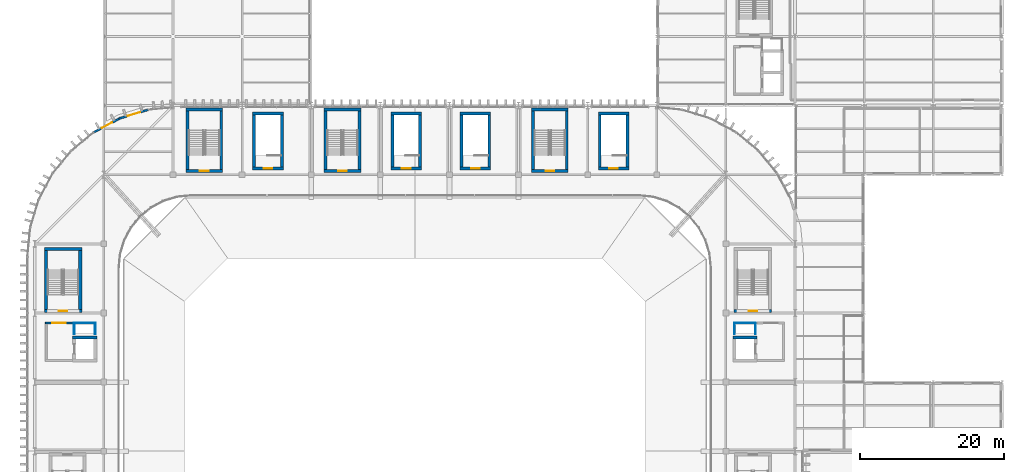
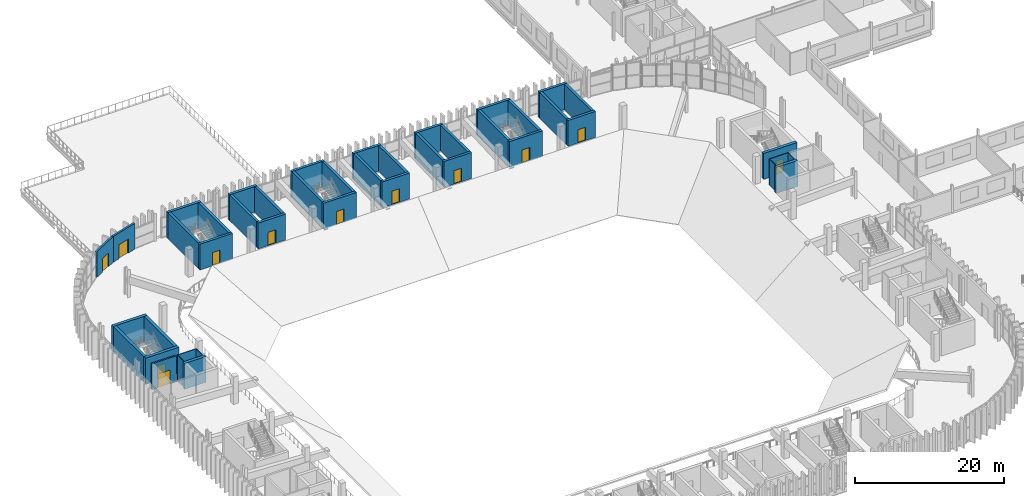
# One storey, part 44 of 69: 44 walls, 12 doors, 12 openings.
"""IFC4 building model written with IfcOpenShell, lengths in metres."""

from ifc_helpers import new_model, si_unit, direction, frame, frame_2d, origin, place, context, subcontext, project, spatial, rectangle, extrude, material, layer, layer_set, type_object, element, fill, save


model = new_model("IFC4")

# Units and contexts
model_context = context("Model", 3, precision=1e-05, world=origin(), true_north=direction((0.0, 1.0)))
body_context = subcontext(model_context, "Body", "Model", "MODEL_VIEW")
ifc_project = project(units=[si_unit("LENGTHUNIT", "METRE"), si_unit("AREAUNIT", "SQUARE_METRE"), si_unit("VOLUMEUNIT", "CUBIC_METRE"), si_unit("PLANEANGLEUNIT", "RADIAN"), si_unit("MASSUNIT", "GRAM", prefix="KILO")], contexts=[model_context])

# Site, building, storey
site_placement = place(None, origin())
site = spatial("IfcSite", under=ifc_project, at=site_placement, CompositionType="ELEMENT")
building_placement = place(site_placement, origin())
building = spatial("IfcBuilding", under=site, at=building_placement, Name="Caelomonte Colonnade Arena", CompositionType="ELEMENT")
storey_placement = place(building_placement, frame((0.0, 0.0, 18.60009765625)))
storey = spatial("IfcBuildingStorey", under=building, at=storey_placement, Name="L04", CompositionType="ELEMENT", Elevation=18.60009765625)

# Wall, opening, door
ifc_material_1 = material(Name="Precast concrete C40/50", Category="concrete")
ifc_layer_1 = layer(ifc_material_1, 0.2900390625)
ifc_layer_set_1 = layer_set([ifc_layer_1], Name="Precast concrete C40/50")
wall_type_1 = type_object("IfcWallType", Name="ENV-WL-EXT29", PredefinedType="SOLIDWALL", material=ifc_layer_set_1)
wall_1_placement = place(storey_placement, frame((73.47021484375, 114.6591796875, 0.0), z_axis=(0.0, 0.0, 1.0), x_axis=(-0.956928680947, -0.290323095156, 0.0)))
wall_1 = element("IfcWall", 1, at=wall_1_placement, inside=storey, type_object=wall_type_1, Name="L04 exterior wall EW-L04-0330", PredefinedType="SOLIDWALL", context=body_context, shape_type="SweptSolid", body=[
    extrude(rectangle(XDim=4.35693359375, YDim=0.2900390625, at=frame_2d((2.178466796875, 0.0))), origin(), (0.0, 0.0, 1.0), 4.239990234375),
])
opening_1_placement = place(wall_1_placement, frame((3.078369140625, 0.0, 0.0), z_axis=(0.0, 0.0, 1.0), x_axis=(-1.0, 0.0, 0.0)))
opening_1 = element("IfcOpeningElement", 2, at=opening_1_placement, cuts=wall_1, Name="Opening DT-L04-11", PredefinedType="OPENING", context=body_context, shape_type="SweptSolid", body=[
    extrude(rectangle(XDim=1.800048828125, YDim=2.300048828125, at=frame_2d((0.89990234375, 1.14990234375))), frame((0.0, 0.155029296875, 0.0), z_axis=(0.0, -1.0, 0.0), x_axis=(1.0, 0.0, 0.0)), (0.0, 0.0, 1.0), 0.31005859375),
])
ifc_material_2 = material(Name="Bronze anodised aluminium glazed terrace door", Category="aluminium")
door_type_1 = type_object("IfcDoorType", Name="ENV-DR-TR1", OperationType="DOUBLE_DOOR_SINGLE_SWING", PredefinedType="DOOR", material=ifc_material_2)
door_1_placement = place(opening_1_placement, origin())
door_1 = element("IfcDoor", 3, at=door_1_placement, inside=storey, type_object=door_type_1, Name="L04 North-West Hospitality Terrace door DT-L04-11", OperationType="DOUBLE_DOOR_SINGLE_SWING", OverallHeight=2.300048828125, OverallWidth=1.800048828125, PredefinedType="DOOR", context=body_context, shape_type="SweptSolid", body=[
    extrude(rectangle(XDim=1.800048828125, YDim=2.300048828125, at=frame_2d((0.89990234375, 1.14990234375))), frame((0.0, 0.02490234375, 0.0), z_axis=(0.0, -1.0, 0.0), x_axis=(1.0, 0.0, 0.0)), (0.0, 0.0, 1.0), 0.050048828125),
])
fill(opening_1, door_1)

wall_2_placement = place(storey_placement, frame((69.55419921875, 113.499267578125, 0.0), z_axis=(0.0, 0.0, 1.0), x_axis=(-0.881924438709, -0.471390797968, 0.0)))
wall_2 = element("IfcWall", 4, at=wall_2_placement, inside=storey, type_object=wall_type_1, Name="L04 exterior wall EW-L04-0331", PredefinedType="SOLIDWALL", context=body_context, shape_type="SweptSolid", body=[
    extrude(rectangle(XDim=4.356689453125, YDim=0.2900390625, at=frame_2d((2.17822265625, 0.0))), origin(), (0.0, 0.0, 1.0), 4.239990234375),
])
opening_2_placement = place(wall_2_placement, frame((2.978515625, 0.0, 0.0), z_axis=(0.0, 0.0, 1.0), x_axis=(-1.0, 0.0, 0.0)))
opening_2 = element("IfcOpeningElement", 5, at=opening_2_placement, cuts=wall_2, Name="Opening DT-L04-12", PredefinedType="OPENING", context=body_context, shape_type="SweptSolid", body=[
    extrude(rectangle(XDim=1.60009765625, YDim=2.25, at=frame_2d((0.800048828125, 1.125))), frame((0.0, 0.155029296875, 0.0), z_axis=(0.0, -1.0, 0.0), x_axis=(1.0, 0.0, 0.0)), (0.0, 0.0, 1.0), 0.31005859375),
])
door_type_2 = type_object("IfcDoorType", Name="ENV-DR-TR2", OperationType="DOUBLE_DOOR_SINGLE_SWING", PredefinedType="DOOR", material=ifc_material_2)
door_2_placement = place(opening_2_placement, origin())
door_2 = element("IfcDoor", 6, at=door_2_placement, inside=storey, type_object=door_type_2, Name="L04 North-West Hospitality Terrace door DT-L04-12", OperationType="DOUBLE_DOOR_SINGLE_SWING", OverallHeight=2.25, OverallWidth=1.60009765625, PredefinedType="DOOR", context=body_context, shape_type="SweptSolid", body=[
    extrude(rectangle(XDim=1.60009765625, YDim=2.25, at=frame_2d((0.800048828125, 1.125))), frame((0.0, 0.02490234375, 0.0), z_axis=(0.0, -1.0, 0.0), x_axis=(1.0, 0.0, 0.0)), (0.0, 0.0, 1.0), 0.050048828125),
])
fill(opening_2, door_2)

ifc_material_3 = material(Name="Concrete C40/50", Category="concrete")
ifc_layer_2 = layer(ifc_material_3, 0.260009765625)
ifc_layer_set_2 = layer_set([ifc_layer_2], Name="Concrete C40/50")
wall_type_2 = type_object("IfcWallType", Name="INT-WL-FW26", PredefinedType="SOLIDWALL", material=ifc_layer_set_2)
wall_3_placement = place(storey_placement, frame((62.830078125, 85.0, 0.0), z_axis=(0.0, 0.0, 1.0), x_axis=(-1.0, 0.0, 0.0)))
wall_3 = element("IfcWall", 7, at=wall_3_placement, inside=storey, type_object=wall_type_2, Name="FW-C4-LB L04 north enclosure wall", PredefinedType="SOLIDWALL", context=body_context, shape_type="SweptSolid", body=[
    extrude(rectangle(XDim=3.760009765625, YDim=0.260009765625, at=frame_2d((1.8798828125, 0.0))), origin(), (0.0, 0.0, 1.0), 4.239990234375),
])
opening_3_placement = place(wall_3_placement, frame((2.80517578125, 0.0, 0.0), z_axis=(0.0, 0.0, 1.0), x_axis=(-1.0, 0.0, 0.0)))
opening_3 = element("IfcOpeningElement", 8, at=opening_3_placement, cuts=wall_3, Name="Opening FD-2", PredefinedType="OPENING", context=body_context, shape_type="SweptSolid", body=[
    extrude(rectangle(XDim=1.85009765625, YDim=2.25, at=frame_2d((0.925048828125, 1.125))), frame((0.0, 0.139892578125, 0.0), z_axis=(0.0, -1.0, 0.0), x_axis=(1.0, 0.0, 0.0)), (0.0, 0.0, 1.0), 0.280029296875),
])
ifc_material_4 = material(Name="Fire-rated double steel door", Category="steel")
door_type_3 = type_object("IfcDoorType", Name="INT-DR-FD90B", OperationType="DOUBLE_DOOR_SINGLE_SWING", PredefinedType="DOOR", material=ifc_material_4)
door_3_placement = place(opening_3_placement, origin())
door_3 = element("IfcDoor", 9, at=door_3_placement, inside=storey, type_object=door_type_3, Name="Core C4 L04 lobby fire door", OperationType="DOUBLE_DOOR_SINGLE_SWING", OverallHeight=2.25, OverallWidth=1.85009765625, PredefinedType="DOOR", context=body_context, shape_type="SweptSolid", body=[
    extrude(rectangle(XDim=1.85009765625, YDim=2.25, at=frame_2d((0.925048828125, 1.125))), frame((0.0, 0.02490234375, 0.0), z_axis=(0.0, -1.0, 0.0), x_axis=(1.0, 0.0, 0.0)), (0.0, 0.0, 1.0), 0.050048828125),
])
fill(opening_3, door_3)

# Walls
ifc_material_5 = material(Name="Service shaft lining partition")
ifc_layer_3 = layer(ifc_material_5, 0.10009765625)
ifc_layer_set_3 = layer_set([ifc_layer_3], Name="Service shaft lining partition")
wall_type_3 = type_object("IfcWallType", Name="INT-WL-PT10", PredefinedType="PARTITIONING", material=ifc_layer_set_3)
wall_4_placement = place(storey_placement, frame((66.050048828125, 85.0, 0.0), z_axis=(0.0, 0.0, 1.0), x_axis=(-1.0, 0.0, 0.0)))
element("IfcWall", 10, at=wall_4_placement, inside=storey, type_object=wall_type_3, Name="FW-C4-RS L04 north enclosure wall", PredefinedType="PARTITIONING", context=body_context, shape_type="SweptSolid", body=[
    extrude(rectangle(XDim=3.0, YDim=0.10009765625, at=frame_2d((1.5, 0.0))), origin(), (0.0, 0.0, 1.0), 4.239990234375),
])
for number, where, z_axis, x_axis, name in (
    (11, (63.10009765625, 84.949951171875, 0.0), (0.0, 0.0, 1.0), (0.0, -1.0, 0.0), "FW-C4-RS L04 west enclosure wall"),
    (12, (66.0, 83.449951171875, 0.0), (0.0, 0.0, 1.0), (0.0, 1.0, 0.0), "FW-C4-RS L04 east enclosure wall"),
):
    element("IfcWall", number, at=place(storey_placement, frame(where, z_axis=z_axis, x_axis=x_axis)), inside=storey, type_object=wall_type_3, Name=name, PredefinedType="PARTITIONING", context=body_context, shape_type="SweptSolid", body=[
        extrude(rectangle(XDim=1.5, YDim=0.10009765625, at=frame_2d((0.75, 0.0))), origin(), (0.0, 0.0, 1.0), 4.239990234375),
    ])
wall_5_placement = place(storey_placement, frame((157.75, 85.0, 0.0), z_axis=(0.0, 0.0, 1.0), x_axis=(-1.0, 0.0, 0.0)))
element("IfcWall", 13, at=wall_5_placement, inside=storey, type_object=wall_type_3, Name="FW-C3-RS L04 north enclosure wall", PredefinedType="PARTITIONING", context=body_context, shape_type="SweptSolid", body=[
    extrude(rectangle(XDim=3.0, YDim=0.10009765625, at=frame_2d((1.5, 0.0))), origin(), (0.0, 0.0, 1.0), 4.239990234375),
])
for number, where, z_axis, x_axis, name in (
    (14, (154.800048828125, 84.949951171875, 0.0), (0.0, 0.0, 1.0), (0.0, -1.0, 0.0), "FW-C3-RS L04 west enclosure wall"),
    (15, (157.699951171875, 83.449951171875, 0.0), (0.0, 0.0, 1.0), (0.0, 1.0, 0.0), "FW-C3-RS L04 east enclosure wall"),
):
    element("IfcWall", number, at=place(storey_placement, frame(where, z_axis=z_axis, x_axis=x_axis)), inside=storey, type_object=wall_type_3, Name=name, PredefinedType="PARTITIONING", context=body_context, shape_type="SweptSolid", body=[
        extrude(rectangle(XDim=1.5, YDim=0.10009765625, at=frame_2d((0.75, 0.0))), origin(), (0.0, 0.0, 1.0), 4.239990234375),
    ])

# Wall, opening, door
ifc_material_6 = material(Name="Concrete C50/60", Category="concrete")
ifc_layer_4 = layer(ifc_material_6, 0.39990234375)
ifc_layer_set_4 = layer_set([ifc_layer_4], Name="Concrete C50/60")
wall_type_4 = type_object("IfcWallType", Name="INT-WL-SH40", PredefinedType="SHEAR", material=ifc_layer_set_4)
wall_6_placement = place(storey_placement, frame((78.60009765625, 106.10009765625, 0.0), z_axis=(0.0, 0.0, 1.0), x_axis=(1.0, 0.0, 0.0)))
wall_6 = element("IfcWall", 16, at=wall_6_placement, inside=storey, type_object=wall_type_4, Name="CW-ST-14 L04 south enclosure wall", PredefinedType="SHEAR", context=body_context, shape_type="SweptSolid", body=[
    extrude(rectangle(XDim=5.099853515625, YDim=0.39990234375, at=frame_2d((2.5498046875, 0.0))), origin(), (0.0, 0.0, 1.0), 4.239990234375),
])
opening_4_placement = place(wall_6_placement, frame((3.14990234375, 0.0, 0.0), z_axis=(0.0, 0.0, 1.0), x_axis=(-1.0, 0.0, 0.0)))
opening_4 = element("IfcOpeningElement", 17, at=opening_4_placement, cuts=wall_6, Name="Opening FD-1", PredefinedType="OPENING", context=body_context, shape_type="SweptSolid", body=[
    extrude(rectangle(XDim=1.199951171875, YDim=2.199951171875, at=frame_2d((0.60009765625, 1.10009765625))), frame((0.0, 0.2099609375, 0.0), z_axis=(0.0, -1.0, 0.0), x_axis=(1.0, 0.0, 0.0)), (0.0, 0.0, 1.0), 0.419921875),
])
ifc_material_7 = material(Name="Fire-rated steel door", Category="steel")
door_type_4 = type_object("IfcDoorType", Name="INT-DR-FD90A", OperationType="NOTDEFINED", PredefinedType="DOOR", material=ifc_material_7)
door_4_placement = place(opening_4_placement, origin())
door_4 = element("IfcDoor", 18, at=door_4_placement, inside=storey, type_object=door_type_4, Name="Protected exit stair ST-14 L04 fire door", OperationType="SINGLE_SWING_RIGHT", OverallHeight=2.199951171875, OverallWidth=1.199951171875, PredefinedType="DOOR", context=body_context, shape_type="SweptSolid", body=[
    extrude(rectangle(XDim=1.199951171875, YDim=2.199951171875, at=frame_2d((0.60009765625, 1.10009765625))), frame((0.0, 0.02490234375, 0.0), z_axis=(0.0, -1.0, 0.0), x_axis=(1.0, 0.0, 0.0)), (0.0, 0.0, 1.0), 0.050048828125),
])
fill(opening_4, door_4)

# Walls
wall_7_placement = place(storey_placement, frame((83.699951171875, 114.64990234375, 0.0), z_axis=(0.0, 0.0, 1.0), x_axis=(-1.0, 0.0, 0.0)))
element("IfcWall", 19, at=wall_7_placement, inside=storey, type_object=wall_type_4, Name="CW-ST-14 L04 north enclosure wall", PredefinedType="SHEAR", context=body_context, shape_type="SweptSolid", body=[
    extrude(rectangle(XDim=5.099853515625, YDim=0.39990234375, at=frame_2d((2.5498046875, 0.0))), origin(), (0.0, 0.0, 1.0), 4.239990234375),
])
for number, where, z_axis, x_axis, name in (
    (20, (78.800048828125, 114.449951171875, 0.0), (0.0, 0.0, 1.0), (0.0, -1.0, 0.0), "CW-ST-14 L04 west enclosure wall"),
    (21, (83.5, 106.300048828125, 0.0), (0.0, 0.0, 1.0), (0.0, 1.0, 0.0), "CW-ST-14 L04 east enclosure wall"),
):
    element("IfcWall", number, at=place(storey_placement, frame(where, z_axis=z_axis, x_axis=x_axis)), inside=storey, type_object=wall_type_4, Name=name, PredefinedType="SHEAR", context=body_context, shape_type="SweptSolid", body=[
        extrude(rectangle(XDim=8.14990234375, YDim=0.39990234375, at=frame_2d((4.074951171875, 0.0))), origin(), (0.0, 0.0, 1.0), 4.239990234375),
    ])

# Wall, opening, door
wall_8_placement = place(storey_placement, frame((97.800048828125, 106.10009765625, 0.0), z_axis=(0.0, 0.0, 1.0), x_axis=(1.0, 0.0, 0.0)))
wall_8 = element("IfcWall", 22, at=wall_8_placement, inside=storey, type_object=wall_type_4, Name="CW-ST-15 L04 south enclosure wall", PredefinedType="SHEAR", context=body_context, shape_type="SweptSolid", body=[
    extrude(rectangle(XDim=5.099853515625, YDim=0.39990234375, at=frame_2d((2.5498046875, 0.0))), origin(), (0.0, 0.0, 1.0), 4.239990234375),
])
opening_5_placement = place(wall_8_placement, frame((3.14990234375, 0.0, 0.0), z_axis=(0.0, 0.0, 1.0), x_axis=(-1.0, 0.0, 0.0)))
opening_5 = element("IfcOpeningElement", 23, at=opening_5_placement, cuts=wall_8, Name="Opening FD-1", PredefinedType="OPENING", context=body_context, shape_type="SweptSolid", body=[
    extrude(rectangle(XDim=1.199951171875, YDim=2.199951171875, at=frame_2d((0.60009765625, 1.10009765625))), frame((0.0, 0.2099609375, 0.0), z_axis=(0.0, -1.0, 0.0), x_axis=(1.0, 0.0, 0.0)), (0.0, 0.0, 1.0), 0.419921875),
])
door_5_placement = place(opening_5_placement, origin())
door_5 = element("IfcDoor", 24, at=door_5_placement, inside=storey, type_object=door_type_4, Name="Protected exit stair ST-15 L04 fire door", OperationType="SINGLE_SWING_LEFT", OverallHeight=2.199951171875, OverallWidth=1.199951171875, PredefinedType="DOOR", context=body_context, shape_type="SweptSolid", body=[
    extrude(rectangle(XDim=1.199951171875, YDim=2.199951171875, at=frame_2d((0.60009765625, 1.10009765625))), frame((0.0, 0.02490234375, 0.0), z_axis=(0.0, -1.0, 0.0), x_axis=(1.0, 0.0, 0.0)), (0.0, 0.0, 1.0), 0.050048828125),
])
fill(opening_5, door_5)

# Walls
wall_9_placement = place(storey_placement, frame((102.89990234375, 114.64990234375, 0.0), z_axis=(0.0, 0.0, 1.0), x_axis=(-1.0, 0.0, 0.0)))
element("IfcWall", 25, at=wall_9_placement, inside=storey, type_object=wall_type_4, Name="CW-ST-15 L04 north enclosure wall", PredefinedType="SHEAR", context=body_context, shape_type="SweptSolid", body=[
    extrude(rectangle(XDim=5.099853515625, YDim=0.39990234375, at=frame_2d((2.5498046875, 0.0))), origin(), (0.0, 0.0, 1.0), 4.239990234375),
])
for number, where, z_axis, x_axis, name in (
    (26, (98.0, 114.449951171875, 0.0), (0.0, 0.0, 1.0), (0.0, -1.0, 0.0), "CW-ST-15 L04 west enclosure wall"),
    (27, (102.699951171875, 106.300048828125, 0.0), (0.0, 0.0, 1.0), (0.0, 1.0, 0.0), "CW-ST-15 L04 east enclosure wall"),
):
    element("IfcWall", number, at=place(storey_placement, frame(where, z_axis=z_axis, x_axis=x_axis)), inside=storey, type_object=wall_type_4, Name=name, PredefinedType="SHEAR", context=body_context, shape_type="SweptSolid", body=[
        extrude(rectangle(XDim=8.14990234375, YDim=0.39990234375, at=frame_2d((4.074951171875, 0.0))), origin(), (0.0, 0.0, 1.0), 4.239990234375),
    ])

# Wall, opening, door
wall_10_placement = place(storey_placement, frame((126.60009765625, 106.10009765625, 0.0), z_axis=(0.0, 0.0, 1.0), x_axis=(1.0, 0.0, 0.0)))
wall_10 = element("IfcWall", 28, at=wall_10_placement, inside=storey, type_object=wall_type_4, Name="CW-ST-16 L04 south enclosure wall", PredefinedType="SHEAR", context=body_context, shape_type="SweptSolid", body=[
    extrude(rectangle(XDim=5.099853515625, YDim=0.39990234375, at=frame_2d((2.5498046875, 0.0))), origin(), (0.0, 0.0, 1.0), 4.239990234375),
])
opening_6_placement = place(wall_10_placement, frame((3.14990234375, 0.0, 0.0), z_axis=(0.0, 0.0, 1.0), x_axis=(-1.0, 0.0, 0.0)))
opening_6 = element("IfcOpeningElement", 29, at=opening_6_placement, cuts=wall_10, Name="Opening FD-1", PredefinedType="OPENING", context=body_context, shape_type="SweptSolid", body=[
    extrude(rectangle(XDim=1.199951171875, YDim=2.199951171875, at=frame_2d((0.60009765625, 1.10009765625))), frame((0.0, 0.2099609375, 0.0), z_axis=(0.0, -1.0, 0.0), x_axis=(1.0, 0.0, 0.0)), (0.0, 0.0, 1.0), 0.419921875),
])
door_6_placement = place(opening_6_placement, origin())
door_6 = element("IfcDoor", 30, at=door_6_placement, inside=storey, type_object=door_type_4, Name="Protected exit stair ST-16 L04 fire door", OperationType="SINGLE_SWING_RIGHT", OverallHeight=2.199951171875, OverallWidth=1.199951171875, PredefinedType="DOOR", context=body_context, shape_type="SweptSolid", body=[
    extrude(rectangle(XDim=1.199951171875, YDim=2.199951171875, at=frame_2d((0.60009765625, 1.10009765625))), frame((0.0, 0.02490234375, 0.0), z_axis=(0.0, -1.0, 0.0), x_axis=(1.0, 0.0, 0.0)), (0.0, 0.0, 1.0), 0.050048828125),
])
fill(opening_6, door_6)

# Walls
wall_11_placement = place(storey_placement, frame((131.699951171875, 114.64990234375, 0.0), z_axis=(0.0, 0.0, 1.0), x_axis=(-1.0, 0.0, 0.0)))
element("IfcWall", 31, at=wall_11_placement, inside=storey, type_object=wall_type_4, Name="CW-ST-16 L04 north enclosure wall", PredefinedType="SHEAR", context=body_context, shape_type="SweptSolid", body=[
    extrude(rectangle(XDim=5.099853515625, YDim=0.39990234375, at=frame_2d((2.5498046875, 0.0))), origin(), (0.0, 0.0, 1.0), 4.239990234375),
])
for number, where, z_axis, x_axis, name in (
    (32, (126.800048828125, 114.449951171875, 0.0), (0.0, 0.0, 1.0), (0.0, -1.0, 0.0), "CW-ST-16 L04 west enclosure wall"),
    (33, (131.5, 106.300048828125, 0.0), (0.0, 0.0, 1.0), (0.0, 1.0, 0.0), "CW-ST-16 L04 east enclosure wall"),
):
    element("IfcWall", number, at=place(storey_placement, frame(where, z_axis=z_axis, x_axis=x_axis)), inside=storey, type_object=wall_type_4, Name=name, PredefinedType="SHEAR", context=body_context, shape_type="SweptSolid", body=[
        extrude(rectangle(XDim=8.14990234375, YDim=0.39990234375, at=frame_2d((4.074951171875, 0.0))), origin(), (0.0, 0.0, 1.0), 4.239990234375),
    ])

# Wall, opening, door
wall_12_placement = place(storey_placement, frame((87.8701171875, 106.469970703125, 0.0), z_axis=(0.0, 0.0, 1.0), x_axis=(1.0, 0.0, 0.0)))
wall_12 = element("IfcWall", 34, at=wall_12_placement, inside=storey, type_object=wall_type_4, Name="CW-ST-V13 L04 south enclosure wall", PredefinedType="SHEAR", context=body_context, shape_type="SweptSolid", body=[
    extrude(rectangle(XDim=4.259765625, YDim=0.39990234375, at=frame_2d((2.1298828125, 0.0))), origin(), (0.0, 0.0, 1.0), 4.239990234375),
])
opening_7_placement = place(wall_12_placement, frame((2.72998046875, 0.0, 0.0), z_axis=(0.0, 0.0, 1.0), x_axis=(-1.0, 0.0, 0.0)))
opening_7 = element("IfcOpeningElement", 35, at=opening_7_placement, cuts=wall_12, Name="Opening FD-1", PredefinedType="OPENING", context=body_context, shape_type="SweptSolid", body=[
    extrude(rectangle(XDim=1.199951171875, YDim=2.199951171875, at=frame_2d((0.60009765625, 1.10009765625))), frame((0.0, 0.2099609375, 0.0), z_axis=(0.0, -1.0, 0.0), x_axis=(1.0, 0.0, 0.0)), (0.0, 0.0, 1.0), 0.419921875),
])
door_7_placement = place(opening_7_placement, origin())
door_7 = element("IfcDoor", 36, at=door_7_placement, inside=storey, type_object=door_type_4, Name="Vomitory VOM-13 stair ST-V13 L04 portal door", OperationType="SINGLE_SWING_LEFT", OverallHeight=2.199951171875, OverallWidth=1.199951171875, PredefinedType="DOOR", context=body_context, shape_type="SweptSolid", body=[
    extrude(rectangle(XDim=1.199951171875, YDim=2.199951171875, at=frame_2d((0.60009765625, 1.10009765625))), frame((0.0, 0.02490234375, 0.0), z_axis=(0.0, -1.0, 0.0), x_axis=(1.0, 0.0, 0.0)), (0.0, 0.0, 1.0), 0.050048828125),
])
fill(opening_7, door_7)

# Walls
wall_13_placement = place(storey_placement, frame((92.1298828125, 114.1298828125, 0.0), z_axis=(0.0, 0.0, 1.0), x_axis=(-1.0, 0.0, 0.0)))
element("IfcWall", 37, at=wall_13_placement, inside=storey, type_object=wall_type_4, Name="CW-ST-V13 L04 north enclosure wall", PredefinedType="SHEAR", context=body_context, shape_type="SweptSolid", body=[
    extrude(rectangle(XDim=4.259765625, YDim=0.39990234375, at=frame_2d((2.1298828125, 0.0))), origin(), (0.0, 0.0, 1.0), 4.239990234375),
])
for number, where, z_axis, x_axis, name in (
    (38, (88.070068359375, 113.929931640625, 0.0), (0.0, 0.0, 1.0), (0.0, -1.0, 0.0), "CW-ST-V13 L04 west enclosure wall"),
    (39, (91.929931640625, 106.669921875, 0.0), (0.0, 0.0, 1.0), (0.0, 1.0, 0.0), "CW-ST-V13 L04 east enclosure wall"),
):
    element("IfcWall", number, at=place(storey_placement, frame(where, z_axis=z_axis, x_axis=x_axis)), inside=storey, type_object=wall_type_4, Name=name, PredefinedType="SHEAR", context=body_context, shape_type="SweptSolid", body=[
        extrude(rectangle(XDim=7.260009765625, YDim=0.39990234375, at=frame_2d((3.6298828125, 0.0))), origin(), (0.0, 0.0, 1.0), 4.239990234375),
    ])

# Wall, opening, door
wall_14_placement = place(storey_placement, frame((107.070068359375, 106.469970703125, 0.0), z_axis=(0.0, 0.0, 1.0), x_axis=(1.0, 0.0, 0.0)))
wall_14 = element("IfcWall", 40, at=wall_14_placement, inside=storey, type_object=wall_type_4, Name="CW-ST-V14 L04 south enclosure wall", PredefinedType="SHEAR", context=body_context, shape_type="SweptSolid", body=[
    extrude(rectangle(XDim=4.260009765625, YDim=0.39990234375, at=frame_2d((2.1298828125, 0.0))), origin(), (0.0, 0.0, 1.0), 4.239990234375),
])
opening_8_placement = place(wall_14_placement, frame((2.72998046875, 0.0, 0.0), z_axis=(0.0, 0.0, 1.0), x_axis=(-1.0, 0.0, 0.0)))
opening_8 = element("IfcOpeningElement", 41, at=opening_8_placement, cuts=wall_14, Name="Opening FD-1", PredefinedType="OPENING", context=body_context, shape_type="SweptSolid", body=[
    extrude(rectangle(XDim=1.199951171875, YDim=2.199951171875, at=frame_2d((0.60009765625, 1.10009765625))), frame((0.0, 0.2099609375, 0.0), z_axis=(0.0, -1.0, 0.0), x_axis=(1.0, 0.0, 0.0)), (0.0, 0.0, 1.0), 0.419921875),
])
door_8_placement = place(opening_8_placement, origin())
door_8 = element("IfcDoor", 42, at=door_8_placement, inside=storey, type_object=door_type_4, Name="Vomitory VOM-14 stair ST-V14 L04 portal door", OperationType="SINGLE_SWING_LEFT", OverallHeight=2.199951171875, OverallWidth=1.199951171875, PredefinedType="DOOR", context=body_context, shape_type="SweptSolid", body=[
    extrude(rectangle(XDim=1.199951171875, YDim=2.199951171875, at=frame_2d((0.60009765625, 1.10009765625))), frame((0.0, 0.02490234375, 0.0), z_axis=(0.0, -1.0, 0.0), x_axis=(1.0, 0.0, 0.0)), (0.0, 0.0, 1.0), 0.050048828125),
])
fill(opening_8, door_8)

# Walls
wall_15_placement = place(storey_placement, frame((111.330078125, 114.1298828125, 0.0), z_axis=(0.0, 0.0, 1.0), x_axis=(-1.0, 0.0, 0.0)))
element("IfcWall", 43, at=wall_15_placement, inside=storey, type_object=wall_type_4, Name="CW-ST-V14 L04 north enclosure wall", PredefinedType="SHEAR", context=body_context, shape_type="SweptSolid", body=[
    extrude(rectangle(XDim=4.260009765625, YDim=0.39990234375, at=frame_2d((2.1298828125, 0.0))), origin(), (0.0, 0.0, 1.0), 4.239990234375),
])
for number, where, z_axis, x_axis, name in (
    (44, (107.27001953125, 113.929931640625, 0.0), (0.0, 0.0, 1.0), (0.0, -1.0, 0.0), "CW-ST-V14 L04 west enclosure wall"),
    (45, (111.1298828125, 106.669921875, 0.0), (0.0, 0.0, 1.0), (0.0, 1.0, 0.0), "CW-ST-V14 L04 east enclosure wall"),
):
    element("IfcWall", number, at=place(storey_placement, frame(where, z_axis=z_axis, x_axis=x_axis)), inside=storey, type_object=wall_type_4, Name=name, PredefinedType="SHEAR", context=body_context, shape_type="SweptSolid", body=[
        extrude(rectangle(XDim=7.260009765625, YDim=0.39990234375, at=frame_2d((3.6298828125, 0.0))), origin(), (0.0, 0.0, 1.0), 4.239990234375),
    ])

# Wall, opening, door
wall_16_placement = place(storey_placement, frame((116.669921875, 106.469970703125, 0.0), z_axis=(0.0, 0.0, 1.0), x_axis=(1.0, 0.0, 0.0)))
wall_16 = element("IfcWall", 46, at=wall_16_placement, inside=storey, type_object=wall_type_4, Name="CW-ST-V15 L04 south enclosure wall", PredefinedType="SHEAR", context=body_context, shape_type="SweptSolid", body=[
    extrude(rectangle(XDim=4.260009765625, YDim=0.39990234375, at=frame_2d((2.1298828125, 0.0))), origin(), (0.0, 0.0, 1.0), 4.239990234375),
])
opening_9_placement = place(wall_16_placement, frame((2.72998046875, 0.0, 0.0), z_axis=(0.0, 0.0, 1.0), x_axis=(-1.0, 0.0, 0.0)))
opening_9 = element("IfcOpeningElement", 47, at=opening_9_placement, cuts=wall_16, Name="Opening FD-1", PredefinedType="OPENING", context=body_context, shape_type="SweptSolid", body=[
    extrude(rectangle(XDim=1.199951171875, YDim=2.199951171875, at=frame_2d((0.60009765625, 1.10009765625))), frame((0.0, 0.2099609375, 0.0), z_axis=(0.0, -1.0, 0.0), x_axis=(1.0, 0.0, 0.0)), (0.0, 0.0, 1.0), 0.419921875),
])
door_9_placement = place(opening_9_placement, origin())
door_9 = element("IfcDoor", 48, at=door_9_placement, inside=storey, type_object=door_type_4, Name="Vomitory VOM-15 stair ST-V15 L04 portal door", OperationType="SINGLE_SWING_LEFT", OverallHeight=2.199951171875, OverallWidth=1.199951171875, PredefinedType="DOOR", context=body_context, shape_type="SweptSolid", body=[
    extrude(rectangle(XDim=1.199951171875, YDim=2.199951171875, at=frame_2d((0.60009765625, 1.10009765625))), frame((0.0, 0.02490234375, 0.0), z_axis=(0.0, -1.0, 0.0), x_axis=(1.0, 0.0, 0.0)), (0.0, 0.0, 1.0), 0.050048828125),
])
fill(opening_9, door_9)

# Walls
wall_17_placement = place(storey_placement, frame((120.929931640625, 114.1298828125, 0.0), z_axis=(0.0, 0.0, 1.0), x_axis=(-1.0, 0.0, 0.0)))
element("IfcWall", 49, at=wall_17_placement, inside=storey, type_object=wall_type_4, Name="CW-ST-V15 L04 north enclosure wall", PredefinedType="SHEAR", context=body_context, shape_type="SweptSolid", body=[
    extrude(rectangle(XDim=4.260009765625, YDim=0.39990234375, at=frame_2d((2.1298828125, 0.0))), origin(), (0.0, 0.0, 1.0), 4.239990234375),
])
for number, where, z_axis, x_axis, name in (
    (50, (116.8701171875, 113.929931640625, 0.0), (0.0, 0.0, 1.0), (0.0, -1.0, 0.0), "CW-ST-V15 L04 west enclosure wall"),
    (51, (120.72998046875, 106.669921875, 0.0), (0.0, 0.0, 1.0), (0.0, 1.0, 0.0), "CW-ST-V15 L04 east enclosure wall"),
):
    element("IfcWall", number, at=place(storey_placement, frame(where, z_axis=z_axis, x_axis=x_axis)), inside=storey, type_object=wall_type_4, Name=name, PredefinedType="SHEAR", context=body_context, shape_type="SweptSolid", body=[
        extrude(rectangle(XDim=7.260009765625, YDim=0.39990234375, at=frame_2d((3.6298828125, 0.0))), origin(), (0.0, 0.0, 1.0), 4.239990234375),
    ])

# Wall, opening, door
wall_18_placement = place(storey_placement, frame((135.8701171875, 106.469970703125, 0.0), z_axis=(0.0, 0.0, 1.0), x_axis=(1.0, 0.0, 0.0)))
wall_18 = element("IfcWall", 52, at=wall_18_placement, inside=storey, type_object=wall_type_4, Name="CW-ST-V16 L04 south enclosure wall", PredefinedType="SHEAR", context=body_context, shape_type="SweptSolid", body=[
    extrude(rectangle(XDim=4.259765625, YDim=0.39990234375, at=frame_2d((2.1298828125, 0.0))), origin(), (0.0, 0.0, 1.0), 4.239990234375),
])
opening_10_placement = place(wall_18_placement, frame((2.72998046875, 0.0, 0.0), z_axis=(0.0, 0.0, 1.0), x_axis=(-1.0, 0.0, 0.0)))
opening_10 = element("IfcOpeningElement", 53, at=opening_10_placement, cuts=wall_18, Name="Opening FD-1", PredefinedType="OPENING", context=body_context, shape_type="SweptSolid", body=[
    extrude(rectangle(XDim=1.199951171875, YDim=2.199951171875, at=frame_2d((0.60009765625, 1.10009765625))), frame((0.0, 0.2099609375, 0.0), z_axis=(0.0, -1.0, 0.0), x_axis=(1.0, 0.0, 0.0)), (0.0, 0.0, 1.0), 0.419921875),
])
door_10_placement = place(opening_10_placement, origin())
door_10 = element("IfcDoor", 54, at=door_10_placement, inside=storey, type_object=door_type_4, Name="Vomitory VOM-16 stair ST-V16 L04 portal door", OperationType="SINGLE_SWING_LEFT", OverallHeight=2.199951171875, OverallWidth=1.199951171875, PredefinedType="DOOR", context=body_context, shape_type="SweptSolid", body=[
    extrude(rectangle(XDim=1.199951171875, YDim=2.199951171875, at=frame_2d((0.60009765625, 1.10009765625))), frame((0.0, 0.02490234375, 0.0), z_axis=(0.0, -1.0, 0.0), x_axis=(1.0, 0.0, 0.0)), (0.0, 0.0, 1.0), 0.050048828125),
])
fill(opening_10, door_10)

# Walls
wall_19_placement = place(storey_placement, frame((140.1298828125, 114.1298828125, 0.0), z_axis=(0.0, 0.0, 1.0), x_axis=(-1.0, 0.0, 0.0)))
element("IfcWall", 55, at=wall_19_placement, inside=storey, type_object=wall_type_4, Name="CW-ST-V16 L04 north enclosure wall", PredefinedType="SHEAR", context=body_context, shape_type="SweptSolid", body=[
    extrude(rectangle(XDim=4.259765625, YDim=0.39990234375, at=frame_2d((2.1298828125, 0.0))), origin(), (0.0, 0.0, 1.0), 4.239990234375),
])
for number, where, z_axis, x_axis, name in (
    (56, (136.070068359375, 113.929931640625, 0.0), (0.0, 0.0, 1.0), (0.0, -1.0, 0.0), "CW-ST-V16 L04 west enclosure wall"),
    (57, (139.929931640625, 106.669921875, 0.0), (0.0, 0.0, 1.0), (0.0, 1.0, 0.0), "CW-ST-V16 L04 east enclosure wall"),
):
    element("IfcWall", number, at=place(storey_placement, frame(where, z_axis=z_axis, x_axis=x_axis)), inside=storey, type_object=wall_type_4, Name=name, PredefinedType="SHEAR", context=body_context, shape_type="SweptSolid", body=[
        extrude(rectangle(XDim=7.260009765625, YDim=0.39990234375, at=frame_2d((3.6298828125, 0.0))), origin(), (0.0, 0.0, 1.0), 4.239990234375),
    ])

# Wall, opening, door
ifc_layer_5 = layer(ifc_material_6, 0.449951171875)
ifc_layer_set_5 = layer_set([ifc_layer_5], Name="Concrete C50/60")
wall_type_5 = type_object("IfcWallType", Name="INT-WL-SH45", PredefinedType="SHEAR", material=ifc_layer_set_5)
wall_20_placement = place(storey_placement, frame((58.949951171875, 86.675048828125, 0.0), z_axis=(0.0, 0.0, 1.0), x_axis=(1.0, 0.0, 0.0)))
wall_20 = element("IfcWall", 58, at=wall_20_placement, inside=storey, type_object=wall_type_5, Name="CW-C4-ST L04 south enclosure wall", PredefinedType="SHEAR", context=body_context, shape_type="SweptSolid", body=[
    extrude(rectangle(XDim=5.199951171875, YDim=0.449951171875, at=frame_2d((2.60009765625, 0.0))), origin(), (0.0, 0.0, 1.0), 4.239990234375),
])
opening_11_placement = place(wall_20_placement, frame((3.199951171875, 0.0, 0.0), z_axis=(0.0, 0.0, 1.0), x_axis=(-1.0, 0.0, 0.0)))
opening_11 = element("IfcOpeningElement", 59, at=opening_11_placement, cuts=wall_20, Name="Opening FD-1", PredefinedType="OPENING", context=body_context, shape_type="SweptSolid", body=[
    extrude(rectangle(XDim=1.199951171875, YDim=2.199951171875, at=frame_2d((0.60009765625, 1.10009765625))), frame((0.0, 0.23486328125, 0.0), z_axis=(0.0, -1.0, 0.0), x_axis=(1.0, 0.0, 0.0)), (0.0, 0.0, 1.0), 0.469970703125),
])
door_11_placement = place(opening_11_placement, origin())
door_11 = element("IfcDoor", 60, at=door_11_placement, inside=storey, type_object=door_type_4, Name="Core C4 L04 exit stair fire door", OperationType="SINGLE_SWING_RIGHT", OverallHeight=2.199951171875, OverallWidth=1.199951171875, PredefinedType="DOOR", context=body_context, shape_type="SweptSolid", body=[
    extrude(rectangle(XDim=1.199951171875, YDim=2.199951171875, at=frame_2d((0.60009765625, 1.10009765625))), frame((0.0, 0.02490234375, 0.0), z_axis=(0.0, -1.0, 0.0), x_axis=(1.0, 0.0, 0.0)), (0.0, 0.0, 1.0), 0.050048828125),
])
fill(opening_11, door_11)

# Walls
wall_21_placement = place(storey_placement, frame((64.14990234375, 95.27490234375, 0.0), z_axis=(0.0, 0.0, 1.0), x_axis=(-1.0, 0.0, 0.0)))
element("IfcWall", 61, at=wall_21_placement, inside=storey, type_object=wall_type_5, Name="CW-C4-ST L04 north enclosure wall", PredefinedType="SHEAR", context=body_context, shape_type="SweptSolid", body=[
    extrude(rectangle(XDim=5.199951171875, YDim=0.449951171875, at=frame_2d((2.60009765625, 0.0))), origin(), (0.0, 0.0, 1.0), 4.239990234375),
])
for number, where, z_axis, x_axis, name in (
    (62, (59.175048828125, 95.050048828125, 0.0), (0.0, 0.0, 1.0), (0.0, -1.0, 0.0), "CW-C4-ST L04 west enclosure wall"),
    (63, (63.925048828125, 86.89990234375, 0.0), (0.0, 0.0, 1.0), (0.0, 1.0, 0.0), "CW-C4-ST L04 east enclosure wall"),
):
    element("IfcWall", number, at=place(storey_placement, frame(where, z_axis=z_axis, x_axis=x_axis)), inside=storey, type_object=wall_type_5, Name=name, PredefinedType="SHEAR", context=body_context, shape_type="SweptSolid", body=[
        extrude(rectangle(XDim=8.150146484375, YDim=0.449951171875, at=frame_2d((4.0751953125, 0.0))), origin(), (0.0, 0.0, 1.0), 4.239990234375),
    ])
wall_22_placement = place(storey_placement, frame((66.22509765625, 83.0, 0.0), z_axis=(0.0, 0.0, 1.0), x_axis=(-1.0, 0.0, 0.0)))
element("IfcWall", 64, at=wall_22_placement, inside=storey, type_object=wall_type_5, Name="CW-C4-LF L04 north enclosure wall", PredefinedType="SHEAR", context=body_context, shape_type="SweptSolid", body=[
    extrude(rectangle(XDim=3.35009765625, YDim=0.449951171875, at=frame_2d((1.675048828125, 0.0))), origin(), (0.0, 0.0, 1.0), 4.239990234375),
])

# Wall, opening, door
wall_23_placement = place(storey_placement, frame((154.75, 86.675048828125, 0.0), z_axis=(0.0, 0.0, 1.0), x_axis=(1.0, 0.0, 0.0)))
wall_23 = element("IfcWall", 65, at=wall_23_placement, inside=storey, type_object=wall_type_5, Name="CW-C3-ST L04 south enclosure wall", PredefinedType="SHEAR", context=body_context, shape_type="SweptSolid", body=[
    extrude(rectangle(XDim=5.199951171875, YDim=0.449951171875, at=frame_2d((2.60009765625, 0.0))), origin(), (0.0, 0.0, 1.0), 4.239990234375),
])
opening_12_placement = place(wall_23_placement, frame((3.199951171875, 0.0, 0.0), z_axis=(0.0, 0.0, 1.0), x_axis=(-1.0, 0.0, 0.0)))
opening_12 = element("IfcOpeningElement", 66, at=opening_12_placement, cuts=wall_23, Name="Opening FD-1", PredefinedType="OPENING", context=body_context, shape_type="SweptSolid", body=[
    extrude(rectangle(XDim=1.199951171875, YDim=2.199951171875, at=frame_2d((0.60009765625, 1.10009765625))), frame((0.0, 0.23486328125, 0.0), z_axis=(0.0, -1.0, 0.0), x_axis=(1.0, 0.0, 0.0)), (0.0, 0.0, 1.0), 0.469970703125),
])
door_12_placement = place(opening_12_placement, origin())
door_12 = element("IfcDoor", 67, at=door_12_placement, inside=storey, type_object=door_type_4, Name="Core C3 L04 exit stair fire door", OperationType="SINGLE_SWING_RIGHT", OverallHeight=2.199951171875, OverallWidth=1.199951171875, PredefinedType="DOOR", context=body_context, shape_type="SweptSolid", body=[
    extrude(rectangle(XDim=1.199951171875, YDim=2.199951171875, at=frame_2d((0.60009765625, 1.10009765625))), frame((0.0, 0.02490234375, 0.0), z_axis=(0.0, -1.0, 0.0), x_axis=(1.0, 0.0, 0.0)), (0.0, 0.0, 1.0), 0.050048828125),
])
fill(opening_12, door_12)

# Wall
wall_24_placement = place(storey_placement, frame((157.925048828125, 83.0, 0.0), z_axis=(0.0, 0.0, 1.0), x_axis=(-1.0, 0.0, 0.0)))
element("IfcWall", 68, at=wall_24_placement, inside=storey, type_object=wall_type_5, Name="CW-C3-LF L04 north enclosure wall", PredefinedType="SHEAR", context=body_context, shape_type="SweptSolid", body=[
    extrude(rectangle(XDim=3.35009765625, YDim=0.449951171875, at=frame_2d((1.675048828125, 0.0))), origin(), (0.0, 0.0, 1.0), 4.239990234375),
])

save(model, "model.ifc")
